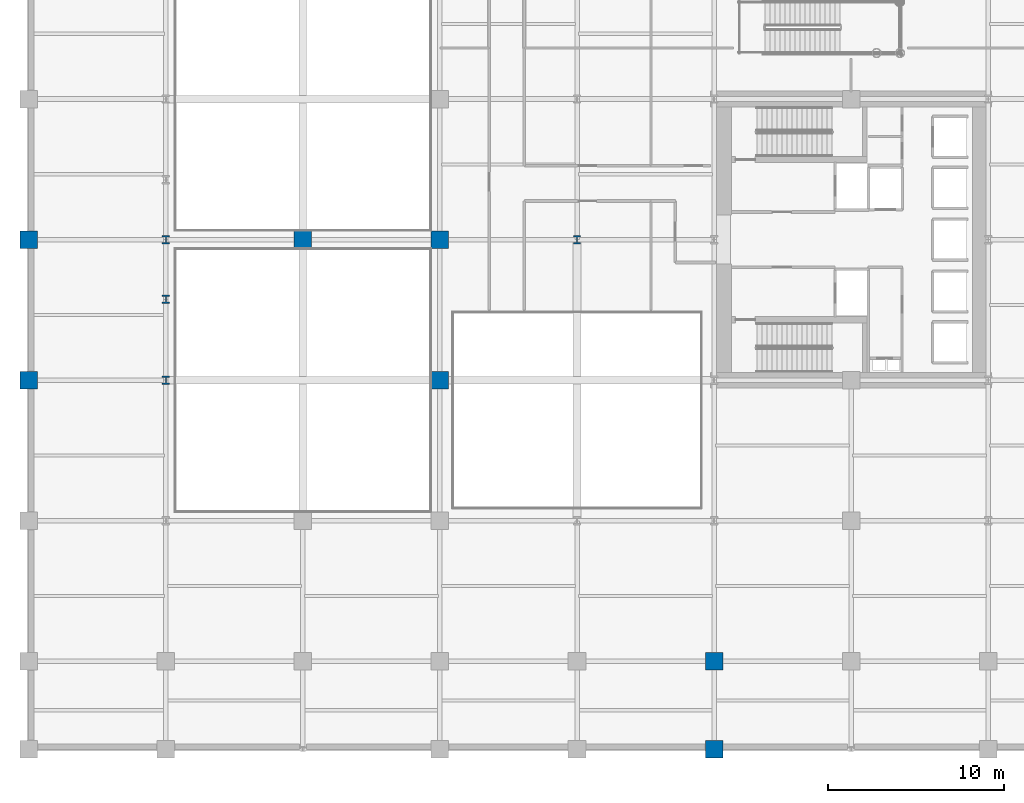
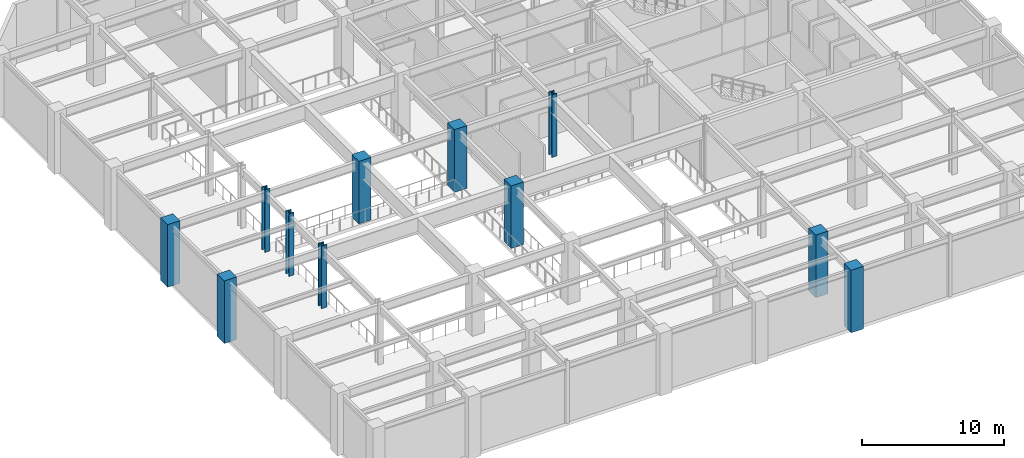
# One storey, part 2 of 15: 11 columns.
"""IFC4 building model written with IfcOpenShell, lengths in metres."""

from ifc_helpers import new_model, si_unit, direction, frame, origin, origin_2d, place, context, subcontext, project, spatial, rectangle, i_section, extrude, material, material_profile, profile_set, type_object, element, save


model = new_model("IFC4")

# Units and contexts
model_context = context("Model", 3, precision=1e-05, world=origin(), true_north=direction((0.0, 1.0)))
body_context = subcontext(model_context, "Body", "Model", "MODEL_VIEW")
ifc_project = project(units=[si_unit("LENGTHUNIT", "METRE"), si_unit("AREAUNIT", "SQUARE_METRE"), si_unit("VOLUMEUNIT", "CUBIC_METRE"), si_unit("PLANEANGLEUNIT", "RADIAN"), si_unit("MASSUNIT", "GRAM", prefix="KILO")], contexts=[model_context])

# Site, building, storey
site_placement = place(None, origin())
site = spatial("IfcSite", under=ifc_project, at=site_placement, CompositionType="ELEMENT")
building_placement = place(site_placement, origin())
building = spatial("IfcBuilding", under=site, at=building_placement, Name="Veymaron Broadcast Tower", CompositionType="ELEMENT")
storey_placement = place(building_placement, frame((0.0, 0.0, 5.39990234375)))
storey = spatial("IfcBuildingStorey", under=building, at=storey_placement, Name="L01", CompositionType="ELEMENT", Elevation=5.39990234375)

# Columns
ifc_material_1 = material(Name="Structural steel ASTM A913 Gr 65", Category="steel")
ifc_material_profile_1 = material_profile(ifc_material_1, i_section(OverallWidth=0.424072265625, OverallDepth=0.47412109375, WebThickness=0.047607421875, FlangeThickness=0.076904296875, at=origin_2d()), Name="W360X634")
ifc_profile_set_1 = profile_set([ifc_material_profile_1], Name="Structural steel ASTM A913 Gr 65")
column_type_1 = type_object("IfcColumnType", Name="COL-MC1", PredefinedType="COLUMN", material=ifc_profile_set_1)
for number, where, z_axis, x_axis, name in (
    (1, (7.800048828125, 16.0, 0.0), (0.0, 0.0, 1.0), (1.0, 0.0, 0.0), "L01 column (7.8, 16.0)"),
    (2, (7.800048828125, 24.0, 0.0), (0.0, 0.0, 1.0), (1.0, 0.0, 0.0), "L01 column (7.8, 24.0)"),
    (3, (31.199951171875, 24.0, 0.0), (0.0, 0.0, 1.0), (1.0, 0.0, 0.0), "L01 column (31.2, 24.0)"),
):
    element("IfcColumn", number, at=place(storey_placement, frame(where, z_axis=z_axis, x_axis=x_axis)), inside=storey, type_object=column_type_1, Name=name, PredefinedType="COLUMN", context=body_context, shape_type="SweptSolid", body=[
        extrude(i_section(OverallWidth=0.424072265625, OverallDepth=0.47412109375, WebThickness=0.047607421875, FlangeThickness=0.076904296875, at=origin_2d()), origin(), (0.0, 0.0, 1.0), 5.39501953125),
    ])
column_placement = place(storey_placement, frame((7.800048828125, 20.60009765625, 0.0), z_axis=(0.0, 0.0, 1.0), x_axis=(1.0, 0.0, 0.0)))
element("IfcColumn", 4, at=column_placement, inside=storey, type_object=column_type_1, Name="L01 Mega Column podium base", PredefinedType="COLUMN", context=body_context, shape_type="SweptSolid", body=[
    extrude(i_section(OverallWidth=0.424072265625, OverallDepth=0.47412109375, WebThickness=0.047607421875, FlangeThickness=0.076904296875, at=origin_2d()), origin(), (0.0, 0.0, 1.0), 5.39404296875),
])
ifc_material_2 = material(Name="Concrete C60/75", Category="concrete")
ifc_material_profile_2 = material_profile(ifc_material_2, rectangle(XDim=1.0, YDim=1.0, at=origin_2d()), Name="RC1000X1000")
ifc_profile_set_2 = profile_set([ifc_material_profile_2], Name="Concrete C60/75")
column_type_2 = type_object("IfcColumnType", Name="COL-RC3", PredefinedType="COLUMN", material=ifc_profile_set_2)
for number, where, z_axis, x_axis, name in (
    (5, (0.0, 16.0, 0.0), (0.0, 0.0, 1.0), (1.0, 0.0, 0.0), "L01 column (0.0, 16.0)"),
    (6, (0.0, 24.0, 0.0), (0.0, 0.0, 1.0), (1.0, 0.0, 0.0), "L01 column (0.0, 24.0)"),
    (7, (15.60009765625, 24.0, 0.0), (0.0, 0.0, 1.0), (1.0, 0.0, 0.0), "L01 column (15.6, 24.0)"),
    (8, (23.39990234375, 16.0, 0.0), (0.0, 0.0, 1.0), (1.0, 0.0, 0.0), "L01 column (23.4, 16.0)"),
    (9, (23.39990234375, 24.0, 0.0), (0.0, 0.0, 1.0), (1.0, 0.0, 0.0), "L01 column (23.4, 24.0)"),
    (10, (39.0, -5.0, 0.0), (0.0, 0.0, 1.0), (1.0, 0.0, 0.0), "L01 column (39.0, -5.0)"),
    (11, (39.0, 0.0, 0.0), (0.0, 0.0, 1.0), (1.0, 0.0, 0.0), "L01 column (39.0, 0.0)"),
):
    element("IfcColumn", number, at=place(storey_placement, frame(where, z_axis=z_axis, x_axis=x_axis)), inside=storey, type_object=column_type_2, Name=name, PredefinedType="COLUMN", context=body_context, shape_type="SweptSolid", body=[
        extrude(rectangle(XDim=1.0, YDim=1.0, at=origin_2d()), origin(), (0.0, 0.0, 1.0), 5.39501953125),
    ])

save(model, "model.ifc")
